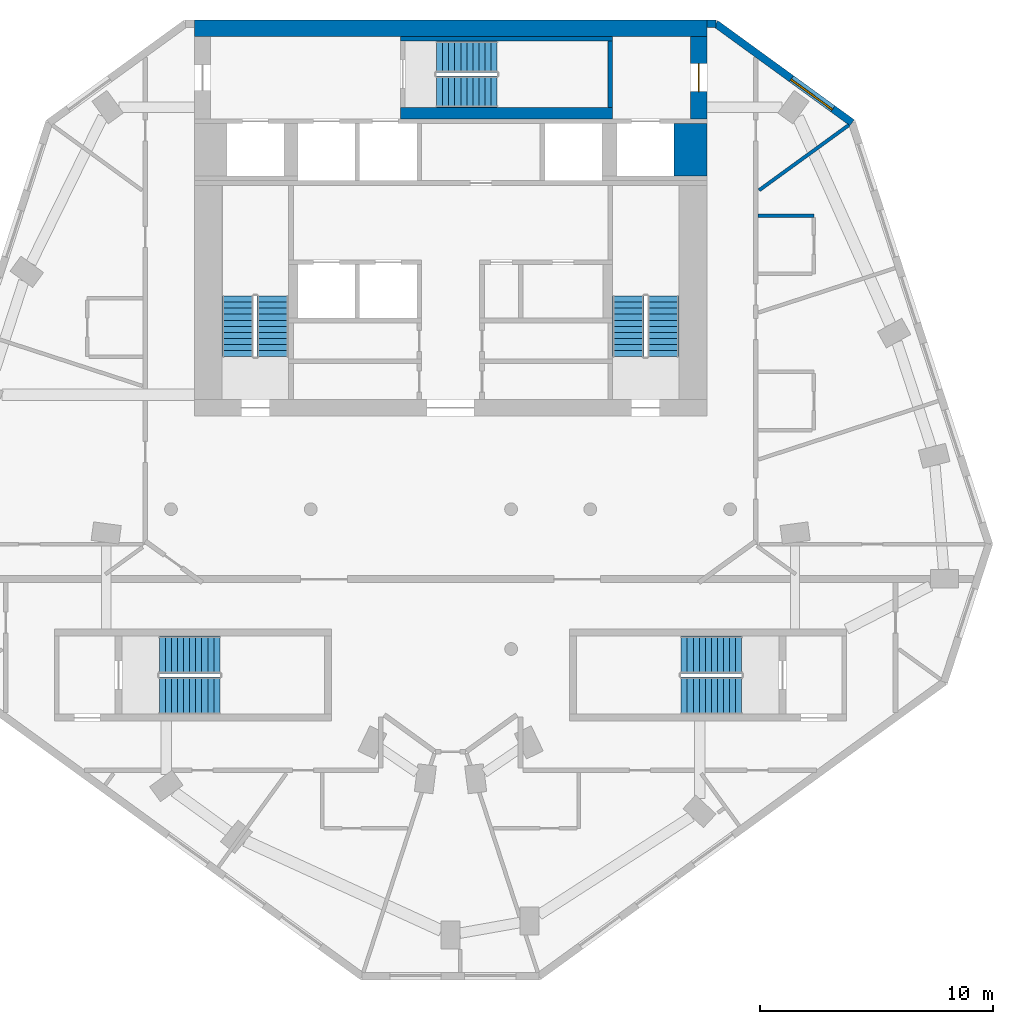
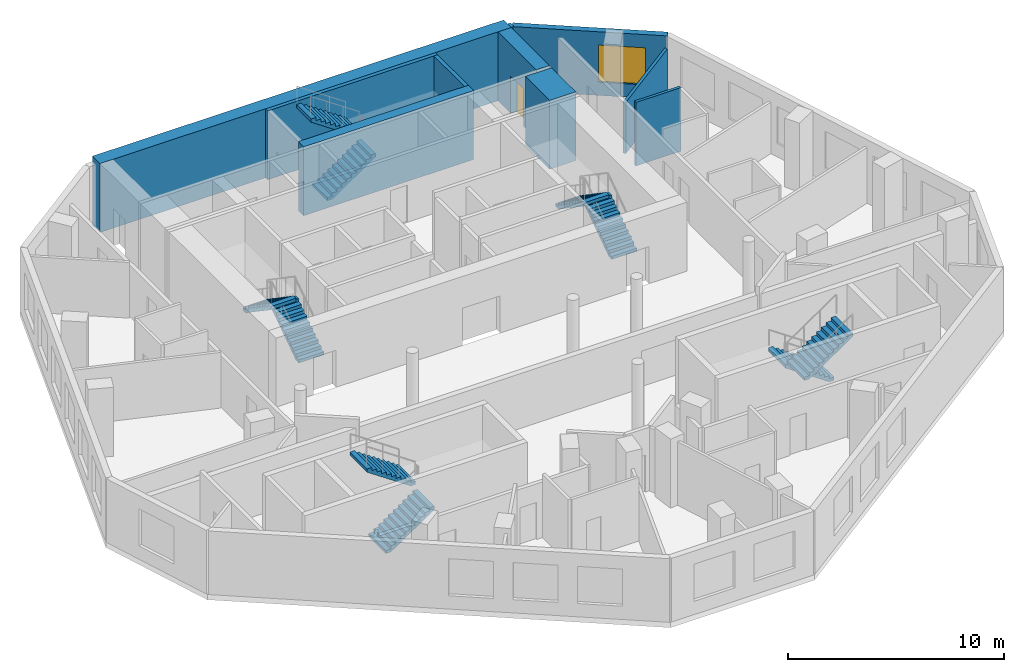
# One storey, part 6 of 8: 10 stair flights, 10 walls, 1 door, 1 window, 2 openings, 5 elements without a shape of their own.
"""IFC4 building model written with IfcOpenShell, lengths in metres."""

from ifc_helpers import new_model, si_unit, direction, frame, frame_2d, origin, place, context, subcontext, project, spatial, polyline, rectangle, outline, extrude, material, layer, layer_set, type_object, element, fill, aggregate, save


model = new_model("IFC4")

# Units and contexts
model_context = context("Model", 3, precision=1e-05, world=origin(), true_north=direction((0.0, 1.0)))
body_context = subcontext(model_context, "Body", "Model", "MODEL_VIEW")
ifc_project = project(units=[si_unit("LENGTHUNIT", "METRE"), si_unit("AREAUNIT", "SQUARE_METRE"), si_unit("VOLUMEUNIT", "CUBIC_METRE"), si_unit("PLANEANGLEUNIT", "RADIAN"), si_unit("MASSUNIT", "GRAM", prefix="KILO")], contexts=[model_context])

# Site, building, storey
site_placement = place(None, origin())
site = spatial("IfcSite", under=ifc_project, at=site_placement, CompositionType="ELEMENT")
building_placement = place(site_placement, origin())
building = spatial("IfcBuilding", under=site, at=building_placement, Name="White Candle Pilgrim Tower", CompositionType="ELEMENT")
storey_placement = place(building_placement, frame((0.0, 0.0, 279.5)))
storey = spatial("IfcBuildingStorey", under=building, at=storey_placement, Name="L66", CompositionType="ELEMENT", Elevation=279.5)

# Wall
ifc_material_1 = material(Name="Concrete C50/60", Category="concrete")
ifc_layer_1 = layer(ifc_material_1, 1.39990234375)
ifc_layer_set_1 = layer_set([ifc_layer_1], Name="Core wall 1400 mm Concrete C50/60")
wall_type_1 = type_object("IfcWallType", Name="Core wall 1400 mm Concrete C50/60", PredefinedType="SHEAR", material=ifc_layer_set_1)
wall_1_placement = place(storey_placement, frame((80.300048828125, 81.300048828125, 0.0), z_axis=(0.0, 0.0, 1.0), x_axis=(0.0, 1.0, 0.0)))
element("IfcWall", 1, at=wall_1_placement, inside=storey, type_object=wall_type_1, Name="WL-L66-C45", PredefinedType="SHEAR", context=body_context, shape_type="SweptSolid", body=[
    extrude(rectangle(XDim=2.25, YDim=1.39990234375, at=frame_2d((1.125, 0.0))), origin(), (0.0, 0.0, 1.0), 3.89990234375),
])

# Wall, opening, door
ifc_layer_2 = layer(ifc_material_1, 0.699951171875)
ifc_layer_set_2 = layer_set([ifc_layer_2], Name="Core wall 700 mm Concrete C50/60")
wall_type_2 = type_object("IfcWallType", Name="Core wall 700 mm Concrete C50/60", PredefinedType="SHEAR", material=ifc_layer_set_2)
wall_2_placement = place(storey_placement, frame((80.64990234375, 83.75, 0.0), z_axis=(0.0, 0.0, 1.0), x_axis=(0.0, 1.0, 0.0)))
wall_2 = element("IfcWall", 2, at=wall_2_placement, inside=storey, type_object=wall_type_2, Name="WL-L66-C49", PredefinedType="SHEAR", context=body_context, shape_type="SweptSolid", body=[
    extrude(rectangle(XDim=3.550048828125, YDim=0.699951171875, at=frame_2d((1.77490234375, 0.0))), origin(), (0.0, 0.0, 1.0), 3.89990234375),
])
opening_1_placement = place(wall_2_placement, frame((1.175048828125, 0.0, 0.0)))
opening_1 = element("IfcOpeningElement", 3, at=opening_1_placement, cuts=wall_2, Name="Opening T20-010", PredefinedType="OPENING", context=body_context, shape_type="SweptSolid", body=[
    extrude(rectangle(XDim=1.199951171875, YDim=2.10009765625, at=frame_2d((0.60009765625, 1.050048828125))), frame((0.0, 0.35986328125, 0.0), z_axis=(0.0, -1.0, 0.0), x_axis=(1.0, 0.0, 0.0)), (0.0, 0.0, 1.0), 0.719970703125),
])
ifc_material_2 = material(Name="Steel door leaf", Category="steel")
door_type = type_object("IfcDoorType", Name="Fire door 1200 x 2100 EI 30", OperationType="NOTDEFINED", PredefinedType="DOOR", material=ifc_material_2)
door_placement = place(opening_1_placement, origin())
door = element("IfcDoor", 4, at=door_placement, inside=storey, type_object=door_type, Name="Door T20-010", OperationType="SINGLE_SWING_RIGHT", OverallHeight=2.10009765625, OverallWidth=1.199951171875, PredefinedType="DOOR", context=body_context, shape_type="SweptSolid", body=[
    extrude(rectangle(XDim=1.199951171875, YDim=2.10009765625, at=frame_2d((0.60009765625, 1.050048828125))), frame((0.0, 0.02490234375, 0.0), z_axis=(0.0, -1.0, 0.0), x_axis=(1.0, 0.0, 0.0)), (0.0, 0.0, 1.0), 0.050048828125),
])
fill(opening_1, door)

# Wall
wall_3_placement = place(storey_placement, frame((59.0, 87.64990234375, 0.0), z_axis=(0.0, 0.0, 1.0), x_axis=(1.0, 0.0, 0.0)))
element("IfcWall", 5, at=wall_3_placement, inside=storey, type_object=wall_type_2, Name="WL-L66-C53", PredefinedType="SHEAR", context=body_context, shape_type="SweptSolid", body=[
    extrude(rectangle(XDim=22.0, YDim=0.699951171875, at=frame_2d((11.0, 0.0))), origin(), (0.0, 0.0, 1.0), 3.89990234375),
])

# Wall, opening, window
ifc_material_3 = material(Name="Precast concrete C40/50", Category="concrete")
ifc_layer_3 = layer(ifc_material_3, 0.320068359375)
ifc_layer_set_3 = layer_set([ifc_layer_3], Name="Facade wall EW1 precast concrete C40/50 pier wall with timber-lined reveals")
wall_type_3 = type_object("IfcWallType", Name="Facade wall EW1 precast concrete C40/50 pier wall with timber-lined reveals", PredefinedType="SOLIDWALL", material=ifc_layer_set_3)
wall_4_placement = place(storey_placement, frame((87.234375, 83.590087890625, 0.0), z_axis=(0.0, 0.0, 1.0), x_axis=(-0.809004669464, 0.587802215703, 0.0)))
wall_4 = element("IfcWall", 6, at=wall_4_placement, inside=storey, type_object=wall_type_3, Name="Facade wall L66 NE chamfer", PredefinedType="SOLIDWALL", context=body_context, shape_type="SweptSolid", body=[
    extrude(rectangle(XDim=7.230224609375, YDim=0.320068359375, at=frame_2d((3.615234375, 0.0))), origin(), (0.0, 0.0, 1.0), 3.60009765625),
])
opening_2_placement = place(wall_4_placement, frame((1.01513671875, 0.0, 0.75)))
opening_2 = element("IfcOpeningElement", 7, at=opening_2_placement, cuts=wall_4, Name="Opening W4", PredefinedType="OPENING", context=body_context, shape_type="SweptSolid", body=[
    extrude(rectangle(XDim=2.199951171875, YDim=2.10009765625, at=frame_2d((1.10009765625, 1.050048828125))), frame((0.0, 0.169921875, 0.0), z_axis=(0.0, -1.0, 0.0), x_axis=(1.0, 0.0, 0.0)), (0.0, 0.0, 1.0), 0.340087890625),
])
ifc_material_4 = material(Name="Timber frame with triple glazing", Category="wood")
window_type = type_object("IfcWindowType", Name="Window W4 2200x2100 timber frame triple glazing", PartitioningType="SINGLE_PANEL", PredefinedType="WINDOW", material=ifc_material_4)
window_placement = place(opening_2_placement, origin())
window = element("IfcWindow", 8, at=window_placement, inside=storey, type_object=window_type, Name="Window W4 L66 NE chamfer 1", OverallHeight=2.10009765625, OverallWidth=2.199951171875, PartitioningType="SINGLE_PANEL", PredefinedType="WINDOW", context=body_context, shape_type="SweptSolid", body=[
    extrude(rectangle(XDim=2.199951171875, YDim=2.10009765625, at=frame_2d((1.10009765625, 1.050048828125))), frame((0.0, 0.070068359375, 0.0), z_axis=(0.0, -1.0, 0.0), x_axis=(1.0, 0.0, 0.0)), (0.0, 0.0, 1.0), 0.06005859375),
])
fill(opening_2, window)

# Walls
wall_5_placement = place(storey_placement, frame((81.385009765625, 87.840087890625, 0.0), z_axis=(0.0, 0.0, 1.0), x_axis=(-1.0, 0.0, 0.0)))
element("IfcWall", 9, at=wall_5_placement, inside=storey, type_object=wall_type_3, Name="Facade wall L66 N", PredefinedType="SOLIDWALL", context=body_context, shape_type="SweptSolid", body=[
    extrude(rectangle(XDim=0.385009765625, YDim=0.320068359375, at=frame_2d((0.1923828125, 0.0))), origin(), (0.0, 0.0, 1.0), 3.60009765625),
])
ifc_material_5 = material(Name="Gypsum board on steel studs", Category="steel")
ifc_layer_4 = layer(ifc_material_5, 0.14990234375)
ifc_layer_set_4 = layer_set([ifc_layer_4], Name="Partition 150 mm EI 60")
wall_type_4 = type_object("IfcWallType", Name="Partition 150 mm EI 60", PredefinedType="PARTITIONING", material=ifc_layer_set_4)
wall_6_placement = place(storey_placement, frame((87.098388671875, 83.4912109375, 0.0), z_axis=(0.0, 0.0, 1.0), x_axis=(-0.809015212762, -0.587787704464, 0.0)))
element("IfcWall", 10, at=wall_6_placement, inside=storey, type_object=wall_type_4, Name="WL-L66-P024", PredefinedType="PARTITIONING", context=body_context, shape_type="SweptSolid", body=[
    extrude(rectangle(XDim=4.76416015625, YDim=0.14990234375, at=frame_2d((2.382080078125, 0.0))), origin(), (0.0, 0.0, 1.0), 2.89990234375),
])
wall_7_placement = place(storey_placement, frame((83.199951171875, 79.6044921875, 0.0), z_axis=(0.0, 0.0, 1.0), x_axis=(1.0, 0.0, 0.0)))
element("IfcWall", 11, at=wall_7_placement, inside=storey, type_object=wall_type_4, Name="WL-L66-P041", PredefinedType="PARTITIONING", context=body_context, shape_type="SweptSolid", body=[
    extrude(rectangle(XDim=2.400146484375, YDim=0.14990234375, at=frame_2d((1.2001953125, 0.0))), origin(), (0.0, 0.0, 1.0), 3.60009765625),
])
ifc_layer_5 = layer(ifc_material_1, 0.199951171875)
ifc_layer_set_5 = layer_set([ifc_layer_5], Name="Stair shaft wall 200 mm Concrete C50/60")
wall_type_5 = type_object("IfcWallType", Name="Stair shaft wall 200 mm Concrete C50/60", PredefinedType="SHEAR", material=ifc_layer_set_5)
wall_8_placement = place(storey_placement, frame((76.85009765625, 84.25, 0.0), z_axis=(0.0, 0.0, 1.0), x_axis=(0.0, 1.0, 0.0)))
element("IfcWall", 12, at=wall_8_placement, inside=storey, type_object=wall_type_5, Name="WL-L66-C51", PredefinedType="SHEAR", context=body_context, shape_type="SweptSolid", body=[
    extrude(rectangle(XDim=2.85009765625, YDim=0.199951171875, at=frame_2d((1.425048828125, 0.0))), origin(), (0.0, 0.0, 1.0), 3.89990234375),
])
wall_9_placement = place(storey_placement, frame((67.85009765625, 87.199951171875, 0.0), z_axis=(0.0, 0.0, 1.0), x_axis=(1.0, 0.0, 0.0)))
element("IfcWall", 13, at=wall_9_placement, inside=storey, type_object=wall_type_5, Name="WL-L66-C52", PredefinedType="SHEAR", context=body_context, shape_type="SweptSolid", body=[
    extrude(rectangle(XDim=9.099853515625, YDim=0.199951171875, at=frame_2d((4.5498046875, 0.0))), origin(), (0.0, 0.0, 1.0), 3.89990234375),
])
ifc_layer_6 = layer(ifc_material_1, 0.5)
ifc_layer_set_6 = layer_set([ifc_layer_6], Name="Stair shaft wall 500 mm Concrete C50/60")
wall_type_6 = type_object("IfcWallType", Name="Stair shaft wall 500 mm Concrete C50/60", PredefinedType="SHEAR", material=ifc_layer_set_6)
wall_10_placement = place(storey_placement, frame((67.85009765625, 84.0, 0.0), z_axis=(0.0, 0.0, 1.0), x_axis=(1.0, 0.0, 0.0)))
element("IfcWall", 14, at=wall_10_placement, inside=storey, type_object=wall_type_6, Name="WL-L66-C48", PredefinedType="SHEAR", context=body_context, shape_type="SweptSolid", body=[
    extrude(rectangle(XDim=9.099853515625, YDim=0.5, at=frame_2d((4.5498046875, 0.0))), origin(), (0.0, 0.0, 1.0), 3.89990234375),
])

# Stair, stair flights
ifc_material_6 = material(Name="Concrete C40/50", Category="concrete")
stair_type_1 = type_object("IfcStairType", Name="Exit stair 1 flight width 1350 mm", PredefinedType="HALF_TURN_STAIR", material=ifc_material_6)
stair_1_placement = place(storey_placement, origin())
stair_1 = element("IfcStair", 15, at=stair_1_placement, inside=storey, type_object=stair_type_1, Name="L66 stair 1", PredefinedType="NOTDEFINED")
ifc_layer_7 = layer(ifc_material_6, 0.14990234375)
ifc_layer_set_7 = layer_set([ifc_layer_7], Name="Stair flight Concrete C40/50")
stair_flight_type = type_object("IfcStairFlightType", Name="Stair flight Concrete C40/50", PredefinedType="STRAIGHT", material=ifc_layer_set_7)
stair_flight_1_placement = place(storey_placement, frame((62.375, 73.550048828125, 0.0), z_axis=(0.0, 0.0, 1.0), x_axis=(0.0, 1.0, 0.0)))
stair_flight_1 = element("IfcStairFlight", 16, at=stair_flight_1_placement, type_object=stair_flight_type, Name="ST1 flight 1", NumberOfRisers=11, NumberOfTreads=10, PredefinedType="NOTDEFINED", RiserHeight=0.177272727, TreadLength=0.26, context=body_context, shape_type="SweptSolid", body=[
    extrude(outline(polyline([(0.0, 0.0), (0.0, 0.17724609375), (0.260009765625, 0.17724609375), (0.260009765625, 0.3544921875), (0.52001953125, 0.3544921875), (0.52001953125, 0.53173828125), (0.780029296875, 0.53173828125), (0.780029296875, 0.708984375), (1.0400390625, 0.708984375), (1.0400390625, 0.886474609375), (1.300048828125, 0.886474609375), (1.300048828125, 1.063720703125), (1.56005859375, 1.063720703125), (1.56005859375, 1.240966796875), (1.820068359375, 1.240966796875), (1.820068359375, 1.418212890625), (2.080078125, 1.418212890625), (2.080078125, 1.595458984375), (2.340087890625, 1.595458984375), (2.340087890625, 1.772705078125), (2.60009765625, 1.772705078125), (2.60009765625, 1.949951171875), (2.60009765625, 1.59130859375), (0.26611328125, 0.0), (0.0, 0.0)])), frame((0.0, 0.675048828125, 0.0), z_axis=(0.0, -1.0, 0.0), x_axis=(1.0, 0.0, 0.0)), (0.0, 0.0, 1.0), 1.35009765625),
])
stair_flight_2_placement = place(storey_placement, frame((60.875, 76.14990234375, 1.949951171875), z_axis=(0.0, 0.0, 1.0), x_axis=(0.0, -1.0, 0.0)))
stair_flight_2 = element("IfcStairFlight", 17, at=stair_flight_2_placement, type_object=stair_flight_type, Name="ST1 flight 2", NumberOfRisers=11, NumberOfTreads=10, PredefinedType="NOTDEFINED", RiserHeight=0.177272727, TreadLength=0.26, context=body_context, shape_type="SweptSolid", body=[
    extrude(outline(polyline([(0.0, 0.0), (0.0, 0.17724609375), (0.260009765625, 0.17724609375), (0.260009765625, 0.3544921875), (0.52001953125, 0.3544921875), (0.52001953125, 0.53173828125), (0.780029296875, 0.53173828125), (0.780029296875, 0.708984375), (1.0400390625, 0.708984375), (1.0400390625, 0.886474609375), (1.300048828125, 0.886474609375), (1.300048828125, 1.063720703125), (1.56005859375, 1.063720703125), (1.56005859375, 1.240966796875), (1.820068359375, 1.240966796875), (1.820068359375, 1.418212890625), (2.080078125, 1.418212890625), (2.080078125, 1.595458984375), (2.340087890625, 1.595458984375), (2.340087890625, 1.772705078125), (2.60009765625, 1.772705078125), (2.60009765625, 1.949951171875), (2.60009765625, 1.59130859375), (0.26611328125, 0.0), (0.0, 0.0)])), frame((0.0, 0.675048828125, 0.0), z_axis=(0.0, -1.0, 0.0), x_axis=(1.0, 0.0, 0.0)), (0.0, 0.0, 1.0), 1.35009765625),
])
aggregate(stair_1, [stair_flight_1, stair_flight_2])

stair_type_2 = type_object("IfcStairType", Name="Exit stair 2 flight width 1350 mm", PredefinedType="HALF_TURN_STAIR", material=ifc_material_6)
stair_2_placement = place(storey_placement, origin())
stair_2 = element("IfcStair", 18, at=stair_2_placement, inside=storey, type_object=stair_type_2, Name="L66 stair 2", PredefinedType="NOTDEFINED")
stair_flight_3_placement = place(storey_placement, frame((79.125, 73.550048828125, 0.0), z_axis=(0.0, 0.0, 1.0), x_axis=(0.0, 1.0, 0.0)))
stair_flight_3 = element("IfcStairFlight", 19, at=stair_flight_3_placement, type_object=stair_flight_type, Name="ST2 flight 1", NumberOfRisers=11, NumberOfTreads=10, PredefinedType="NOTDEFINED", RiserHeight=0.177272727, TreadLength=0.26, context=body_context, shape_type="SweptSolid", body=[
    extrude(outline(polyline([(0.0, 0.0), (0.0, 0.17724609375), (0.260009765625, 0.17724609375), (0.260009765625, 0.3544921875), (0.52001953125, 0.3544921875), (0.52001953125, 0.53173828125), (0.780029296875, 0.53173828125), (0.780029296875, 0.708984375), (1.0400390625, 0.708984375), (1.0400390625, 0.886474609375), (1.300048828125, 0.886474609375), (1.300048828125, 1.063720703125), (1.56005859375, 1.063720703125), (1.56005859375, 1.240966796875), (1.820068359375, 1.240966796875), (1.820068359375, 1.418212890625), (2.080078125, 1.418212890625), (2.080078125, 1.595458984375), (2.340087890625, 1.595458984375), (2.340087890625, 1.772705078125), (2.60009765625, 1.772705078125), (2.60009765625, 1.949951171875), (2.60009765625, 1.59130859375), (0.26611328125, 0.0), (0.0, 0.0)])), frame((0.0, 0.675048828125, 0.0), z_axis=(0.0, -1.0, 0.0), x_axis=(1.0, 0.0, 0.0)), (0.0, 0.0, 1.0), 1.35009765625),
])
stair_flight_4_placement = place(storey_placement, frame((77.625, 76.14990234375, 1.949951171875), z_axis=(0.0, 0.0, 1.0), x_axis=(0.0, -1.0, 0.0)))
stair_flight_4 = element("IfcStairFlight", 20, at=stair_flight_4_placement, type_object=stair_flight_type, Name="ST2 flight 2", NumberOfRisers=11, NumberOfTreads=10, PredefinedType="NOTDEFINED", RiserHeight=0.177272727, TreadLength=0.26, context=body_context, shape_type="SweptSolid", body=[
    extrude(outline(polyline([(0.0, 0.0), (0.0, 0.17724609375), (0.260009765625, 0.17724609375), (0.260009765625, 0.3544921875), (0.52001953125, 0.3544921875), (0.52001953125, 0.53173828125), (0.780029296875, 0.53173828125), (0.780029296875, 0.708984375), (1.0400390625, 0.708984375), (1.0400390625, 0.886474609375), (1.300048828125, 0.886474609375), (1.300048828125, 1.063720703125), (1.56005859375, 1.063720703125), (1.56005859375, 1.240966796875), (1.820068359375, 1.240966796875), (1.820068359375, 1.418212890625), (2.080078125, 1.418212890625), (2.080078125, 1.595458984375), (2.340087890625, 1.595458984375), (2.340087890625, 1.772705078125), (2.60009765625, 1.772705078125), (2.60009765625, 1.949951171875), (2.60009765625, 1.59130859375), (0.26611328125, 0.0), (0.0, 0.0)])), frame((0.0, 0.675048828125, 0.0), z_axis=(0.0, -1.0, 0.0), x_axis=(1.0, 0.0, 0.0)), (0.0, 0.0, 1.0), 1.35009765625),
])
aggregate(stair_2, [stair_flight_3, stair_flight_4])

stair_type_3 = type_object("IfcStairType", Name="Exit stair 3 flight width 1350 mm", PredefinedType="HALF_TURN_STAIR", material=ifc_material_6)
stair_3_placement = place(storey_placement, origin())
stair_3 = element("IfcStair", 21, at=stair_3_placement, inside=storey, type_object=stair_type_3, Name="L66 stair 3", PredefinedType="NOTDEFINED")
stair_flight_5_placement = place(storey_placement, frame((69.39990234375, 84.925048828125, 0.0), z_axis=(0.0, 0.0, 1.0), x_axis=(1.0, 0.0, 0.0)))
stair_flight_5 = element("IfcStairFlight", 22, at=stair_flight_5_placement, type_object=stair_flight_type, Name="ST3 flight 1", NumberOfRisers=11, NumberOfTreads=10, PredefinedType="NOTDEFINED", RiserHeight=0.177272727, TreadLength=0.26, context=body_context, shape_type="SweptSolid", body=[
    extrude(outline(polyline([(0.0, 0.0), (0.0, 0.17724609375), (0.260009765625, 0.17724609375), (0.260009765625, 0.3544921875), (0.52001953125, 0.3544921875), (0.52001953125, 0.53173828125), (0.780029296875, 0.53173828125), (0.780029296875, 0.708984375), (1.0400390625, 0.708984375), (1.0400390625, 0.886474609375), (1.300048828125, 0.886474609375), (1.300048828125, 1.063720703125), (1.56005859375, 1.063720703125), (1.56005859375, 1.240966796875), (1.820068359375, 1.240966796875), (1.820068359375, 1.418212890625), (2.080078125, 1.418212890625), (2.080078125, 1.595458984375), (2.340087890625, 1.595458984375), (2.340087890625, 1.772705078125), (2.60009765625, 1.772705078125), (2.60009765625, 1.949951171875), (2.60009765625, 1.59130859375), (0.26611328125, 0.0), (0.0, 0.0)])), frame((0.0, 0.675048828125, 0.0), z_axis=(0.0, -1.0, 0.0), x_axis=(1.0, 0.0, 0.0)), (0.0, 0.0, 1.0), 1.35009765625),
])
stair_flight_6_placement = place(storey_placement, frame((72.0, 86.425048828125, 1.949951171875), z_axis=(0.0, 0.0, 1.0), x_axis=(-1.0, 0.0, 0.0)))
stair_flight_6 = element("IfcStairFlight", 23, at=stair_flight_6_placement, type_object=stair_flight_type, Name="ST3 flight 2", NumberOfRisers=11, NumberOfTreads=10, PredefinedType="NOTDEFINED", RiserHeight=0.177272727, TreadLength=0.26, context=body_context, shape_type="SweptSolid", body=[
    extrude(outline(polyline([(0.0, 0.0), (0.0, 0.17724609375), (0.260009765625, 0.17724609375), (0.260009765625, 0.3544921875), (0.52001953125, 0.3544921875), (0.52001953125, 0.53173828125), (0.780029296875, 0.53173828125), (0.780029296875, 0.708984375), (1.0400390625, 0.708984375), (1.0400390625, 0.886474609375), (1.300048828125, 0.886474609375), (1.300048828125, 1.063720703125), (1.56005859375, 1.063720703125), (1.56005859375, 1.240966796875), (1.820068359375, 1.240966796875), (1.820068359375, 1.418212890625), (2.080078125, 1.418212890625), (2.080078125, 1.595458984375), (2.340087890625, 1.595458984375), (2.340087890625, 1.772705078125), (2.60009765625, 1.772705078125), (2.60009765625, 1.949951171875), (2.60009765625, 1.59130859375), (0.26611328125, 0.0), (0.0, 0.0)])), frame((0.0, 0.675048828125, 0.0), z_axis=(0.0, -1.0, 0.0), x_axis=(1.0, 0.0, 0.0)), (0.0, 0.0, 1.0), 1.35009765625),
])
aggregate(stair_3, [stair_flight_5, stair_flight_6])

stair_type_4 = type_object("IfcStairType", Name="Exit stair 4 flight width 1600 mm", PredefinedType="HALF_TURN_STAIR", material=ifc_material_6)
stair_4_placement = place(storey_placement, origin())
stair_4 = element("IfcStair", 24, at=stair_4_placement, inside=storey, type_object=stair_type_4, Name="L66 stair 4", PredefinedType="NOTDEFINED")
stair_flight_7_placement = place(storey_placement, frame((82.5, 60.75, 0.0), z_axis=(0.0, 0.0, 1.0), x_axis=(-1.0, 0.0, 0.0)))
stair_flight_7 = element("IfcStairFlight", 25, at=stair_flight_7_placement, type_object=stair_flight_type, Name="ST4 flight 1", NumberOfRisers=11, NumberOfTreads=10, PredefinedType="NOTDEFINED", RiserHeight=0.177272727, TreadLength=0.26, context=body_context, shape_type="SweptSolid", body=[
    extrude(outline(polyline([(0.0, 0.0), (0.0, 0.17724609375), (0.260009765625, 0.17724609375), (0.260009765625, 0.3544921875), (0.52001953125, 0.3544921875), (0.52001953125, 0.53173828125), (0.780029296875, 0.53173828125), (0.780029296875, 0.708984375), (1.0400390625, 0.708984375), (1.0400390625, 0.886474609375), (1.300048828125, 0.886474609375), (1.300048828125, 1.063720703125), (1.56005859375, 1.063720703125), (1.56005859375, 1.240966796875), (1.820068359375, 1.240966796875), (1.820068359375, 1.418212890625), (2.080078125, 1.418212890625), (2.080078125, 1.595458984375), (2.340087890625, 1.595458984375), (2.340087890625, 1.772705078125), (2.60009765625, 1.772705078125), (2.60009765625, 1.949951171875), (2.60009765625, 1.59130859375), (0.26611328125, 0.0), (0.0, 0.0)])), frame((0.0, 0.800048828125, 0.0), z_axis=(0.0, -1.0, 0.0), x_axis=(1.0, 0.0, 0.0)), (0.0, 0.0, 1.0), 1.60009765625),
])
stair_flight_8_placement = place(storey_placement, frame((79.89990234375, 59.0, 1.949951171875), z_axis=(0.0, 0.0, 1.0), x_axis=(1.0, 0.0, 0.0)))
stair_flight_8 = element("IfcStairFlight", 26, at=stair_flight_8_placement, type_object=stair_flight_type, Name="ST4 flight 2", NumberOfRisers=11, NumberOfTreads=10, PredefinedType="NOTDEFINED", RiserHeight=0.177272727, TreadLength=0.26, context=body_context, shape_type="SweptSolid", body=[
    extrude(outline(polyline([(0.0, 0.0), (0.0, 0.17724609375), (0.260009765625, 0.17724609375), (0.260009765625, 0.3544921875), (0.52001953125, 0.3544921875), (0.52001953125, 0.53173828125), (0.780029296875, 0.53173828125), (0.780029296875, 0.708984375), (1.0400390625, 0.708984375), (1.0400390625, 0.886474609375), (1.300048828125, 0.886474609375), (1.300048828125, 1.063720703125), (1.56005859375, 1.063720703125), (1.56005859375, 1.240966796875), (1.820068359375, 1.240966796875), (1.820068359375, 1.418212890625), (2.080078125, 1.418212890625), (2.080078125, 1.595458984375), (2.340087890625, 1.595458984375), (2.340087890625, 1.772705078125), (2.60009765625, 1.772705078125), (2.60009765625, 1.949951171875), (2.60009765625, 1.59130859375), (0.26611328125, 0.0), (0.0, 0.0)])), frame((0.0, 0.800048828125, 0.0), z_axis=(0.0, -1.0, 0.0), x_axis=(1.0, 0.0, 0.0)), (0.0, 0.0, 1.0), 1.60009765625),
])
aggregate(stair_4, [stair_flight_7, stair_flight_8])

stair_type_5 = type_object("IfcStairType", Name="Exit stair 5 flight width 1600 mm", PredefinedType="HALF_TURN_STAIR", material=ifc_material_6)
stair_5_placement = place(storey_placement, origin())
stair_5 = element("IfcStair", 27, at=stair_5_placement, inside=storey, type_object=stair_type_5, Name="L66 stair 5", PredefinedType="NOTDEFINED")
stair_flight_9_placement = place(storey_placement, frame((57.5, 59.0, 0.0), z_axis=(0.0, 0.0, 1.0), x_axis=(1.0, 0.0, 0.0)))
stair_flight_9 = element("IfcStairFlight", 28, at=stair_flight_9_placement, type_object=stair_flight_type, Name="ST5 flight 1", NumberOfRisers=11, NumberOfTreads=10, PredefinedType="NOTDEFINED", RiserHeight=0.177272727, TreadLength=0.26, context=body_context, shape_type="SweptSolid", body=[
    extrude(outline(polyline([(0.0, 0.0), (0.0, 0.17724609375), (0.260009765625, 0.17724609375), (0.260009765625, 0.3544921875), (0.52001953125, 0.3544921875), (0.52001953125, 0.53173828125), (0.780029296875, 0.53173828125), (0.780029296875, 0.708984375), (1.0400390625, 0.708984375), (1.0400390625, 0.886474609375), (1.300048828125, 0.886474609375), (1.300048828125, 1.063720703125), (1.56005859375, 1.063720703125), (1.56005859375, 1.240966796875), (1.820068359375, 1.240966796875), (1.820068359375, 1.418212890625), (2.080078125, 1.418212890625), (2.080078125, 1.595458984375), (2.340087890625, 1.595458984375), (2.340087890625, 1.772705078125), (2.60009765625, 1.772705078125), (2.60009765625, 1.949951171875), (2.60009765625, 1.59130859375), (0.26611328125, 0.0), (0.0, 0.0)])), frame((0.0, 0.800048828125, 0.0), z_axis=(0.0, -1.0, 0.0), x_axis=(1.0, 0.0, 0.0)), (0.0, 0.0, 1.0), 1.60009765625),
])
stair_flight_10_placement = place(storey_placement, frame((60.10009765625, 60.75, 1.949951171875), z_axis=(0.0, 0.0, 1.0), x_axis=(-1.0, 0.0, 0.0)))
stair_flight_10 = element("IfcStairFlight", 29, at=stair_flight_10_placement, type_object=stair_flight_type, Name="ST5 flight 2", NumberOfRisers=11, NumberOfTreads=10, PredefinedType="NOTDEFINED", RiserHeight=0.177272727, TreadLength=0.26, context=body_context, shape_type="SweptSolid", body=[
    extrude(outline(polyline([(0.0, 0.0), (0.0, 0.17724609375), (0.260009765625, 0.17724609375), (0.260009765625, 0.3544921875), (0.52001953125, 0.3544921875), (0.52001953125, 0.53173828125), (0.780029296875, 0.53173828125), (0.780029296875, 0.708984375), (1.0400390625, 0.708984375), (1.0400390625, 0.886474609375), (1.300048828125, 0.886474609375), (1.300048828125, 1.063720703125), (1.56005859375, 1.063720703125), (1.56005859375, 1.240966796875), (1.820068359375, 1.240966796875), (1.820068359375, 1.418212890625), (2.080078125, 1.418212890625), (2.080078125, 1.595458984375), (2.340087890625, 1.595458984375), (2.340087890625, 1.772705078125), (2.60009765625, 1.772705078125), (2.60009765625, 1.949951171875), (2.60009765625, 1.59130859375), (0.26611328125, 0.0), (0.0, 0.0)])), frame((0.0, 0.800048828125, 0.0), z_axis=(0.0, -1.0, 0.0), x_axis=(1.0, 0.0, 0.0)), (0.0, 0.0, 1.0), 1.60009765625),
])
aggregate(stair_5, [stair_flight_9, stair_flight_10])

save(model, "model.ifc")
